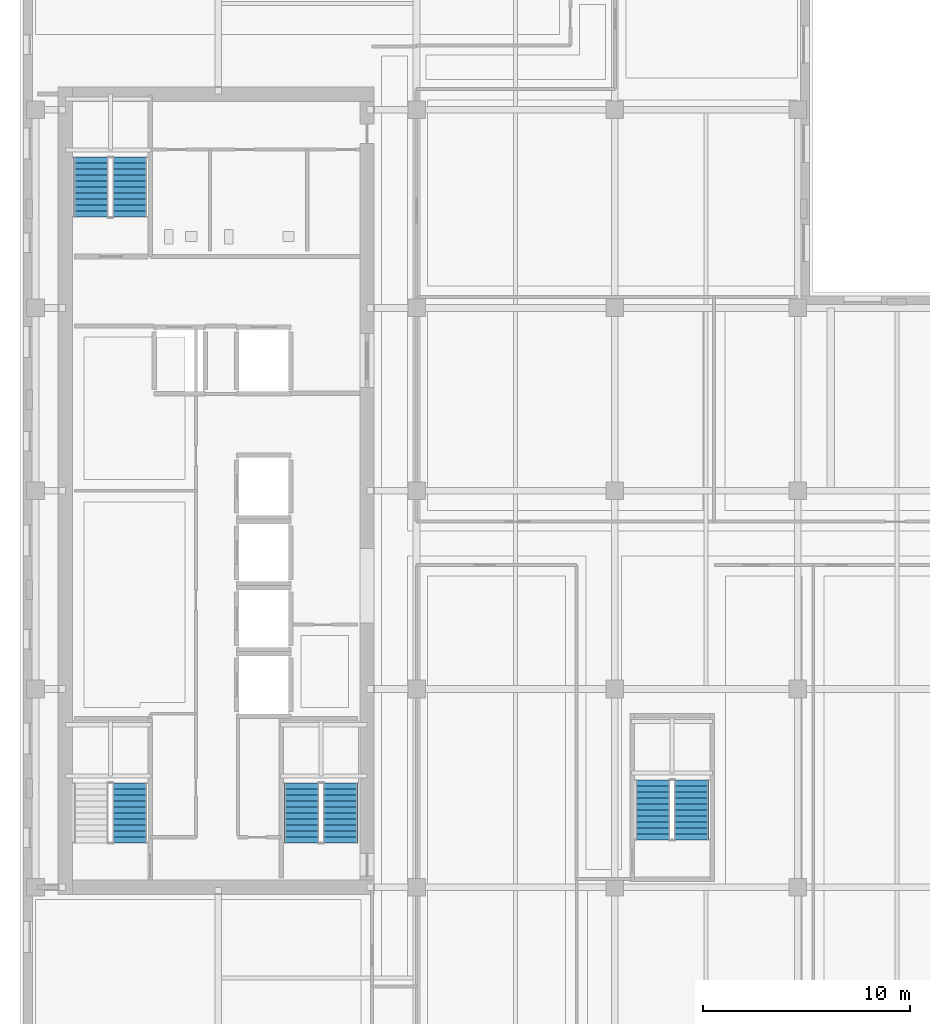
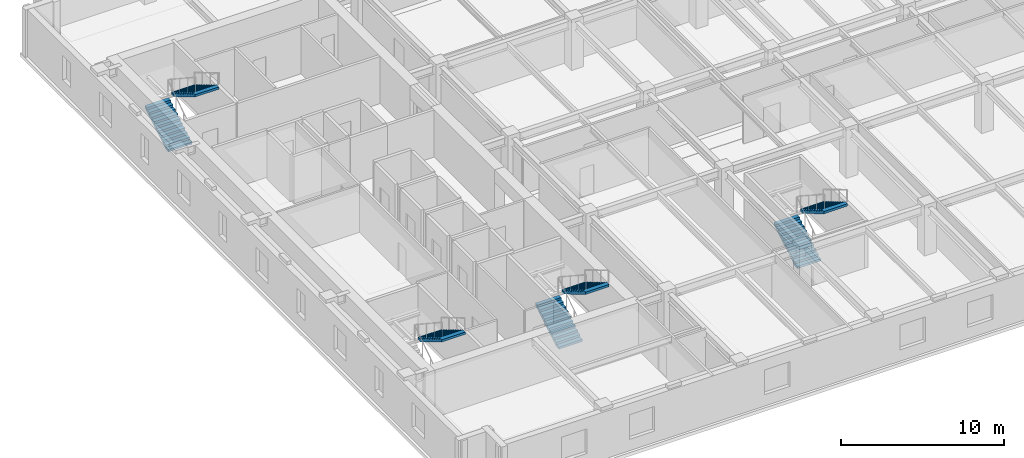
# One storey, part 7 of 14: 7 stair flights, 4 elements without a shape of their own.
"""IFC4 building model written with IfcOpenShell, lengths in metres."""

from ifc_helpers import new_model, si_unit, direction, frame, origin, place, context, subcontext, project, spatial, polyline, outline, extrude, material, type_object, element, aggregate, save


model = new_model("IFC4")

# Units and contexts
model_context = context("Model", 3, precision=1e-05, world=origin(), true_north=direction((0.0, 1.0)))
body_context = subcontext(model_context, "Body", "Model", "MODEL_VIEW")
ifc_project = project(units=[si_unit("LENGTHUNIT", "METRE"), si_unit("AREAUNIT", "SQUARE_METRE"), si_unit("VOLUMEUNIT", "CUBIC_METRE"), si_unit("PLANEANGLEUNIT", "RADIAN"), si_unit("MASSUNIT", "GRAM", prefix="KILO")], contexts=[model_context])

# Site, building, storey
site_placement = place(None, origin())
site = spatial("IfcSite", under=ifc_project, at=site_placement, CompositionType="ELEMENT")
building_placement = place(site_placement, origin())
building = spatial("IfcBuilding", under=site, at=building_placement, Name="Norrvale University Quadrangle", CompositionType="ELEMENT")
storey_placement = place(building_placement, frame((0.0, 0.0, 218.0)))
storey = spatial("IfcBuildingStorey", under=building, at=storey_placement, Name="L55", CompositionType="ELEMENT", Elevation=218.0)

# Stair, stair flight
ifc_material = material(Name="Concrete C40/50", Category="concrete")
stair_type = type_object("IfcStairType", Name="Stair Tower Typ 3800", PredefinedType="TWO_STRAIGHT_RUN_STAIR", material=ifc_material)
stair_1_placement = place(storey_placement, origin())
stair_1 = element("IfcStair", 1, at=stair_1_placement, inside=storey, type_object=stair_type, Name="Exit Stair ST-01 L55", PredefinedType="TWO_STRAIGHT_RUN_STAIR")
stair_flight_type = type_object("IfcStairFlightType", Name="Flight Typ 1500", PredefinedType="STRAIGHT", material=ifc_material)
stair_flight_1_placement = place(storey_placement, frame((5.320068359375, 14.64990234375, 1.89990234375), z_axis=(0.0, 0.0, 1.0), x_axis=(0.0, -1.0, 0.0)))
stair_flight_1 = element("IfcStairFlight", 2, at=stair_flight_1_placement, type_object=stair_flight_type, Name="Exit Stair ST-01 L55 Upper Flight", NumberOfRisers=11, NumberOfTreads=10, PredefinedType="STRAIGHT", RiserHeight=0.172727, TreadLength=0.29, context=body_context, shape_type="SweptSolid", body=[
    extrude(outline(polyline([(0.0, 0.0), (0.0, 0.172607421875), (0.2900390625, 0.172607421875), (0.2900390625, 0.345458984375), (0.580078125, 0.345458984375), (0.580078125, 0.51806640625), (0.8701171875, 0.51806640625), (0.8701171875, 0.69091796875), (1.159912109375, 0.69091796875), (1.159912109375, 0.863525390625), (1.449951171875, 0.863525390625), (1.449951171875, 1.036376953125), (1.739990234375, 1.036376953125), (1.739990234375, 1.208984375), (2.030029296875, 1.208984375), (2.030029296875, 1.3818359375), (2.320068359375, 1.3818359375), (2.320068359375, 1.554443359375), (2.610107421875, 1.554443359375), (2.610107421875, 1.727294921875), (2.89990234375, 1.727294921875), (2.89990234375, 1.89990234375), (2.89990234375, 1.552734375), (0.29296875, 0.0), (0.0, 0.0)])), frame((0.0, 0.83984375, 0.0), z_axis=(0.0, -1.0, 0.0), x_axis=(1.0, 0.0, 0.0)), (0.0, 0.0, 1.0), 1.679931640625),
])
aggregate(stair_1, [stair_flight_1])

# Stair, stair flights
stair_2_placement = place(storey_placement, origin())
stair_2 = element("IfcStair", 3, at=stair_2_placement, inside=storey, type_object=stair_type, Name="Exit Stair ST-02 L55", PredefinedType="TWO_STRAIGHT_RUN_STAIR")
stair_flight_2_placement = place(storey_placement, frame((3.429931640625, 42.050048828125, 0.0), z_axis=(0.0, 0.0, 1.0), x_axis=(0.0, 1.0, 0.0)))
stair_flight_2 = element("IfcStairFlight", 4, at=stair_flight_2_placement, type_object=stair_flight_type, Name="Exit Stair ST-02 L55 Lower Flight", NumberOfRisers=11, NumberOfTreads=10, PredefinedType="STRAIGHT", RiserHeight=0.172727, TreadLength=0.29, context=body_context, shape_type="SweptSolid", body=[
    extrude(outline(polyline([(0.0, 0.0), (0.0, 0.172607421875), (0.2900390625, 0.172607421875), (0.2900390625, 0.345458984375), (0.580078125, 0.345458984375), (0.580078125, 0.51806640625), (0.8701171875, 0.51806640625), (0.8701171875, 0.69091796875), (1.159912109375, 0.69091796875), (1.159912109375, 0.863525390625), (1.449951171875, 0.863525390625), (1.449951171875, 1.036376953125), (1.739990234375, 1.036376953125), (1.739990234375, 1.208984375), (2.030029296875, 1.208984375), (2.030029296875, 1.3818359375), (2.320068359375, 1.3818359375), (2.320068359375, 1.554443359375), (2.610107421875, 1.554443359375), (2.610107421875, 1.727294921875), (2.89990234375, 1.727294921875), (2.89990234375, 1.89990234375), (2.89990234375, 1.552734375), (0.29296875, 0.0), (0.0, 0.0)])), frame((0.0, 0.83984375, 0.0), z_axis=(0.0, -1.0, 0.0), x_axis=(1.0, 0.0, 0.0)), (0.0, 0.0, 1.0), 1.679931640625),
])
stair_flight_3_placement = place(storey_placement, frame((5.320068359375, 44.949951171875, 1.89990234375), z_axis=(0.0, 0.0, 1.0), x_axis=(0.0, -1.0, 0.0)))
stair_flight_3 = element("IfcStairFlight", 5, at=stair_flight_3_placement, type_object=stair_flight_type, Name="Exit Stair ST-02 L55 Upper Flight", NumberOfRisers=11, NumberOfTreads=10, PredefinedType="STRAIGHT", RiserHeight=0.172727, TreadLength=0.29, context=body_context, shape_type="SweptSolid", body=[
    extrude(outline(polyline([(0.0, 0.0), (0.0, 0.172607421875), (0.2900390625, 0.172607421875), (0.2900390625, 0.345458984375), (0.580078125, 0.345458984375), (0.580078125, 0.51806640625), (0.8701171875, 0.51806640625), (0.8701171875, 0.69091796875), (1.159912109375, 0.69091796875), (1.159912109375, 0.863525390625), (1.449951171875, 0.863525390625), (1.449951171875, 1.036376953125), (1.739990234375, 1.036376953125), (1.739990234375, 1.208984375), (2.030029296875, 1.208984375), (2.030029296875, 1.3818359375), (2.320068359375, 1.3818359375), (2.320068359375, 1.554443359375), (2.610107421875, 1.554443359375), (2.610107421875, 1.727294921875), (2.89990234375, 1.727294921875), (2.89990234375, 1.89990234375), (2.89990234375, 1.552734375), (0.29296875, 0.0), (0.0, 0.0)])), frame((0.0, 0.83984375, 0.0), z_axis=(0.0, -1.0, 0.0), x_axis=(1.0, 0.0, 0.0)), (0.0, 0.0, 1.0), 1.679931640625),
])
aggregate(stair_2, [stair_flight_2, stair_flight_3])

stair_3_placement = place(storey_placement, origin())
stair_3 = element("IfcStair", 6, at=stair_3_placement, inside=storey, type_object=stair_type, Name="Exit Stair ST-03 L55", PredefinedType="TWO_STRAIGHT_RUN_STAIR")
stair_flight_4_placement = place(storey_placement, frame((13.6298828125, 11.75, 0.0), z_axis=(0.0, 0.0, 1.0), x_axis=(0.0, 1.0, 0.0)))
stair_flight_4 = element("IfcStairFlight", 7, at=stair_flight_4_placement, type_object=stair_flight_type, Name="Exit Stair ST-03 L55 Lower Flight", NumberOfRisers=11, NumberOfTreads=10, PredefinedType="STRAIGHT", RiserHeight=0.172727, TreadLength=0.29, context=body_context, shape_type="SweptSolid", body=[
    extrude(outline(polyline([(0.0, 0.0), (0.0, 0.172607421875), (0.2900390625, 0.172607421875), (0.2900390625, 0.345458984375), (0.580078125, 0.345458984375), (0.580078125, 0.51806640625), (0.8701171875, 0.51806640625), (0.8701171875, 0.69091796875), (1.159912109375, 0.69091796875), (1.159912109375, 0.863525390625), (1.449951171875, 0.863525390625), (1.449951171875, 1.036376953125), (1.739990234375, 1.036376953125), (1.739990234375, 1.208984375), (2.030029296875, 1.208984375), (2.030029296875, 1.3818359375), (2.320068359375, 1.3818359375), (2.320068359375, 1.554443359375), (2.610107421875, 1.554443359375), (2.610107421875, 1.727294921875), (2.89990234375, 1.727294921875), (2.89990234375, 1.89990234375), (2.89990234375, 1.552734375), (0.29296875, 0.0), (0.0, 0.0)])), frame((0.0, 0.83984375, 0.0), z_axis=(0.0, -1.0, 0.0), x_axis=(1.0, 0.0, 0.0)), (0.0, 0.0, 1.0), 1.679931640625),
])
stair_flight_5_placement = place(storey_placement, frame((15.52001953125, 14.64990234375, 1.89990234375), z_axis=(0.0, 0.0, 1.0), x_axis=(0.0, -1.0, 0.0)))
stair_flight_5 = element("IfcStairFlight", 8, at=stair_flight_5_placement, type_object=stair_flight_type, Name="Exit Stair ST-03 L55 Upper Flight", NumberOfRisers=11, NumberOfTreads=10, PredefinedType="STRAIGHT", RiserHeight=0.172727, TreadLength=0.29, context=body_context, shape_type="SweptSolid", body=[
    extrude(outline(polyline([(0.0, 0.0), (0.0, 0.172607421875), (0.2900390625, 0.172607421875), (0.2900390625, 0.345458984375), (0.580078125, 0.345458984375), (0.580078125, 0.51806640625), (0.8701171875, 0.51806640625), (0.8701171875, 0.69091796875), (1.159912109375, 0.69091796875), (1.159912109375, 0.863525390625), (1.449951171875, 0.863525390625), (1.449951171875, 1.036376953125), (1.739990234375, 1.036376953125), (1.739990234375, 1.208984375), (2.030029296875, 1.208984375), (2.030029296875, 1.3818359375), (2.320068359375, 1.3818359375), (2.320068359375, 1.554443359375), (2.610107421875, 1.554443359375), (2.610107421875, 1.727294921875), (2.89990234375, 1.727294921875), (2.89990234375, 1.89990234375), (2.89990234375, 1.552734375), (0.29296875, 0.0), (0.0, 0.0)])), frame((0.0, 0.83984375, 0.0), z_axis=(0.0, -1.0, 0.0), x_axis=(1.0, 0.0, 0.0)), (0.0, 0.0, 1.0), 1.679931640625),
])
aggregate(stair_3, [stair_flight_4, stair_flight_5])

stair_4_placement = place(storey_placement, origin())
stair_4 = element("IfcStair", 9, at=stair_4_placement, inside=storey, type_object=stair_type, Name="Exit Stair ST-04 L55", PredefinedType="TWO_STRAIGHT_RUN_STAIR")
stair_flight_6_placement = place(storey_placement, frame((30.6298828125, 11.89990234375, 0.0), z_axis=(0.0, 0.0, 1.0), x_axis=(0.0, 1.0, 0.0)))
stair_flight_6 = element("IfcStairFlight", 10, at=stair_flight_6_placement, type_object=stair_flight_type, Name="Exit Stair ST-04 L55 Lower Flight", NumberOfRisers=11, NumberOfTreads=10, PredefinedType="STRAIGHT", RiserHeight=0.172727, TreadLength=0.29, context=body_context, shape_type="SweptSolid", body=[
    extrude(outline(polyline([(0.0, 0.0), (0.0, 0.172607421875), (0.2900390625, 0.172607421875), (0.2900390625, 0.345458984375), (0.580078125, 0.345458984375), (0.580078125, 0.51806640625), (0.8701171875, 0.51806640625), (0.8701171875, 0.69091796875), (1.159912109375, 0.69091796875), (1.159912109375, 0.863525390625), (1.449951171875, 0.863525390625), (1.449951171875, 1.036376953125), (1.739990234375, 1.036376953125), (1.739990234375, 1.208984375), (2.030029296875, 1.208984375), (2.030029296875, 1.3818359375), (2.320068359375, 1.3818359375), (2.320068359375, 1.554443359375), (2.610107421875, 1.554443359375), (2.610107421875, 1.727294921875), (2.89990234375, 1.727294921875), (2.89990234375, 1.89990234375), (2.89990234375, 1.552734375), (0.29296875, 0.0), (0.0, 0.0)])), frame((0.0, 0.83984375, 0.0), z_axis=(0.0, -1.0, 0.0), x_axis=(1.0, 0.0, 0.0)), (0.0, 0.0, 1.0), 1.679931640625),
])
stair_flight_7_placement = place(storey_placement, frame((32.52001953125, 14.800048828125, 1.89990234375), z_axis=(0.0, 0.0, 1.0), x_axis=(0.0, -1.0, 0.0)))
stair_flight_7 = element("IfcStairFlight", 11, at=stair_flight_7_placement, type_object=stair_flight_type, Name="Exit Stair ST-04 L55 Upper Flight", NumberOfRisers=11, NumberOfTreads=10, PredefinedType="STRAIGHT", RiserHeight=0.172727, TreadLength=0.29, context=body_context, shape_type="SweptSolid", body=[
    extrude(outline(polyline([(0.0, 0.0), (0.0, 0.172607421875), (0.2900390625, 0.172607421875), (0.2900390625, 0.345458984375), (0.580078125, 0.345458984375), (0.580078125, 0.51806640625), (0.8701171875, 0.51806640625), (0.8701171875, 0.69091796875), (1.159912109375, 0.69091796875), (1.159912109375, 0.863525390625), (1.449951171875, 0.863525390625), (1.449951171875, 1.036376953125), (1.739990234375, 1.036376953125), (1.739990234375, 1.208984375), (2.030029296875, 1.208984375), (2.030029296875, 1.3818359375), (2.320068359375, 1.3818359375), (2.320068359375, 1.554443359375), (2.610107421875, 1.554443359375), (2.610107421875, 1.727294921875), (2.89990234375, 1.727294921875), (2.89990234375, 1.89990234375), (2.89990234375, 1.552734375), (0.29296875, 0.0), (0.0, 0.0)])), frame((0.0, 0.83984375, 0.0), z_axis=(0.0, -1.0, 0.0), x_axis=(1.0, 0.0, 0.0)), (0.0, 0.0, 1.0), 1.679931640625),
])
aggregate(stair_4, [stair_flight_6, stair_flight_7])

save(model, "model.ifc")
